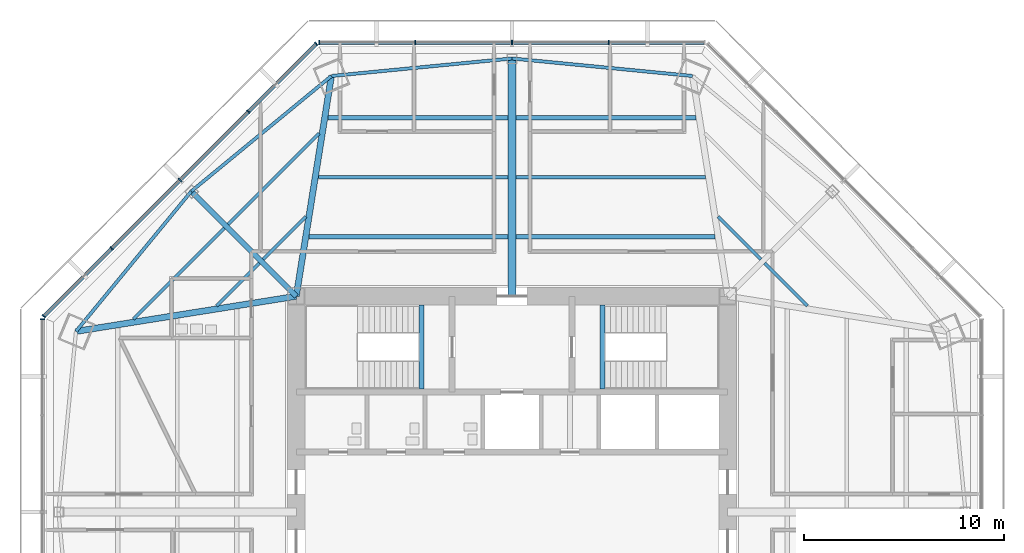
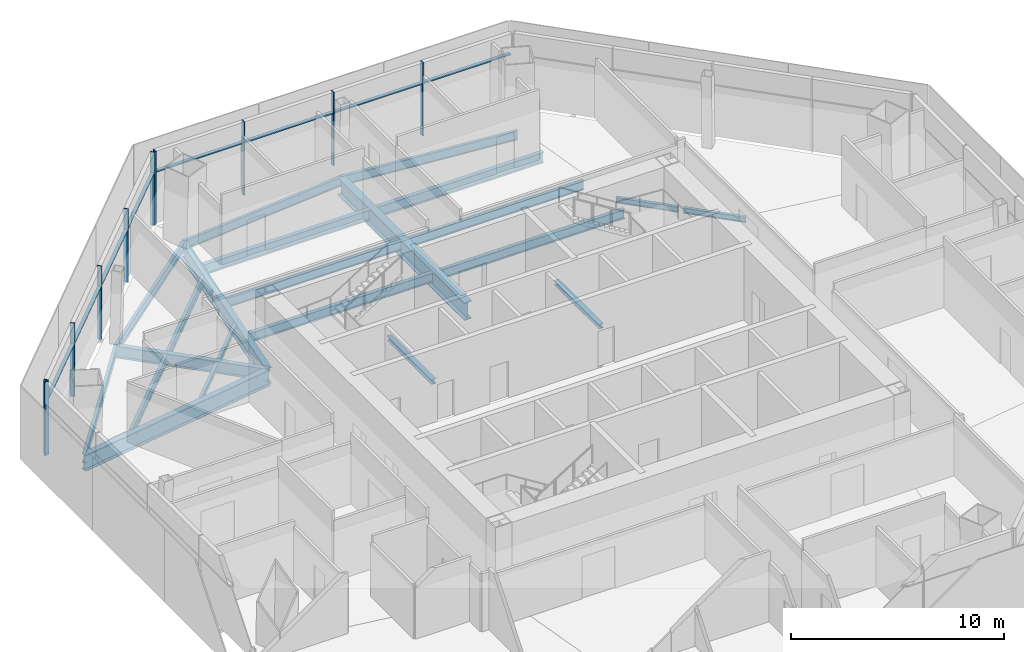
# One storey, part 5 of 15: 22 beams, 18 members, 3 elements without a shape of their own.
"""IFC4 building model written with IfcOpenShell, lengths in metres."""

from ifc_helpers import new_model, si_unit, direction, frame, origin, origin_2d, place, context, subcontext, project, spatial, rectangle, i_section, extrude, source, transform, mapped, material, material_profile, profile_set, type_object, type_shapes, element, aggregate, save


model = new_model("IFC4")

# Units and contexts
model_context = context("Model", 3, precision=1e-05, world=origin(), true_north=direction((0.0, 1.0)))
body_context = subcontext(model_context, "Body", "Model", "MODEL_VIEW")
ifc_project = project(units=[si_unit("LENGTHUNIT", "METRE"), si_unit("AREAUNIT", "SQUARE_METRE"), si_unit("VOLUMEUNIT", "CUBIC_METRE"), si_unit("PLANEANGLEUNIT", "RADIAN"), si_unit("MASSUNIT", "GRAM", prefix="KILO")], contexts=[model_context])

# Site, building, storey
site_placement = place(None, origin())
site = spatial("IfcSite", under=ifc_project, at=site_placement, CompositionType="ELEMENT")
building_placement = place(site_placement, origin())
building = spatial("IfcBuilding", under=site, at=building_placement, Name="Mashrafa Tower", CompositionType="ELEMENT")
storey_placement = place(building_placement, frame((0.0, 0.0, 159.60009765625)))
storey = spatial("IfcBuildingStorey", under=building, at=storey_placement, Name="L36", CompositionType="ELEMENT", Elevation=159.60009765625)

# Beams
ifc_material_1 = material(Name="Steel ASTM A992", Category="steel")
ifc_material_profile_1 = material_profile(ifc_material_1, i_section(OverallWidth=0.164794921875, OverallDepth=0.309814453125, WebThickness=0.005859375, FlangeThickness=0.009765625, FilletRadius=0.007568359375, at=origin_2d()), Name="W12X26")
ifc_profile_set_1 = profile_set([ifc_material_profile_1], Name="Steel ASTM A992")
beam_type_1 = type_object("IfcBeamType", Name="Beam W12X26", PredefinedType="BEAM", material=ifc_profile_set_1)
for number, where, z_axis, x_axis, name in (
    (1, (-14.78271484375, 10.3203125, -0.320068359375), (0.707147105488, 0.707066454586, 0.0), (-0.707066454586, 0.707147105488, 0.0), "Floor beam L36 006"),
    (2, (-12.460693359375, 12.64208984375, -0.320068359375), (0.707066454586, 0.707147105488, 0.0), (-0.707147105488, 0.707066454586, 0.0), "Floor beam L36 012"),
    (3, (10.3203125, 14.78271484375, -0.320068359375), (0.707066454586, -0.707147105488, 0.0), (0.707147105488, 0.707066454586, 0.0), "Floor beam L36 027"),
    (4, (12.64208984375, 12.460693359375, -0.320068359375), (0.707147105488, -0.707066454586, 0.0), (0.707066454586, 0.707147105488, 0.0), "Floor beam L36 030"),
):
    element("IfcBeam", number, at=place(storey_placement, frame(where, z_axis=z_axis, x_axis=x_axis)), inside=storey, type_object=beam_type_1, Name=name, PredefinedType="BEAM", context=body_context, shape_type="SweptSolid", body=[
        extrude(i_section(OverallWidth=0.164794921875, OverallDepth=0.309814453125, WebThickness=0.005859375, FlangeThickness=0.009765625, FilletRadius=0.007568359375, at=origin_2d()), origin(), (0.0, 0.0, 1.0), 3.027099609375),
    ])
ifc_material_2 = material(Name="Steel ASTM A992", Category="steel")
ifc_material_profile_2 = material_profile(ifc_material_2, i_section(OverallWidth=0.1650390625, OverallDepth=0.52587890625, WebThickness=0.0087890625, FlangeThickness=0.011474609375, FilletRadius=0.0126953125, at=origin_2d()), Name="W21X44")
ifc_profile_set_2 = profile_set([ifc_material_profile_2], Name="Steel ASTM A992")
beam_type_2 = type_object("IfcBeamType", Name="Beam W21X44", PredefinedType="BEAM", material=ifc_profile_set_2)
for number, where, z_axis, x_axis, name in (
    (5, (-18.95068359375, 9.6552734375, -0.427978515625), (0.707087839389, 0.707125722477, 0.0), (-0.707125722477, 0.707087839389, 0.0), "Floor beam L36 003"),
    (6, (-14.21240234375, 14.393798828125, -0.427978515625), (0.707125722477, 0.707087839389, 0.0), (-0.707087839389, 0.707125722477, 0.0), "Floor beam L36 008"),
):
    element("IfcBeam", number, at=place(storey_placement, frame(where, z_axis=z_axis, x_axis=x_axis)), inside=storey, type_object=beam_type_2, Name=name, PredefinedType="BEAM", context=body_context, shape_type="SweptSolid", body=[
        extrude(i_section(OverallWidth=0.1650390625, OverallDepth=0.52587890625, WebThickness=0.0087890625, FlangeThickness=0.011474609375, FilletRadius=0.0126953125, at=origin_2d()), origin(), (0.0, 0.0, 1.0), 6.444580078125),
    ])
for number, where, z_axis, x_axis, name in (
    (7, (-16.054443359375, 16.054443359375, -0.427978515625), (-0.635445309972, -0.772145878727, 0.0), (0.772145878727, -0.635445309972, 0.0), "Spandrel beam L36 061"),
    (8, (-9.040771484375, 21.826416015625, -0.427978515625), (-0.772145878727, -0.635445309972, 0.0), (0.635445309972, -0.772145878727, 0.0), "Spandrel beam L36 063"),
    (9, (0.0, 22.70458984375, -0.427978515625), (-0.995315535231, -0.096679808275, 0.0), (0.096679808275, -0.995315535231, 0.0), "Spandrel beam L36 065"),
    (10, (9.040771484375, 21.826416015625, -0.427978515625), (-0.995315535231, 0.096679808275, 0.0), (-0.096679808275, -0.995315535231, 0.0), "Spandrel beam L36 067"),
):
    element("IfcBeam", number, at=place(storey_placement, frame(where, z_axis=z_axis, x_axis=x_axis)), inside=storey, type_object=beam_type_2, Name=name, PredefinedType="BEAM", context=body_context, shape_type="SweptSolid", body=[
        extrude(i_section(OverallWidth=0.1650390625, OverallDepth=0.52587890625, WebThickness=0.0087890625, FlangeThickness=0.011474609375, FilletRadius=0.0126953125, at=origin_2d()), origin(), (0.0, 0.0, 1.0), 9.083251953125),
    ])
ifc_material_3 = material(Name="Steel ASTM A992", Category="steel")
ifc_material_profile_3 = material_profile(ifc_material_3, i_section(OverallWidth=0.165771484375, OverallDepth=0.5283203125, WebThickness=0.009765625, FlangeThickness=0.013671875, FilletRadius=0.012939453125, at=origin_2d()), Name="W21X50")
ifc_profile_set_3 = profile_set([ifc_material_profile_3], Name="Steel ASTM A992")
beam_type_3 = type_object("IfcBeamType", Name="Beam W21X50", PredefinedType="BEAM", material=ifc_profile_set_3)
for number, where, z_axis, x_axis, name in (
    (11, (-9.694580078125, 16.752197265625, -0.42919921875), (1.0, 0.0, 0.0), (0.0, 1.0, 0.0), "Floor beam L36 015"),
    (12, (0.20068359375, 16.752197265625, -0.42919921875), (1.0, 0.0, 0.0), (0.0, 1.0, 0.0), "Floor beam L36 022"),
):
    element("IfcBeam", number, at=place(storey_placement, frame(where, z_axis=z_axis, x_axis=x_axis)), inside=storey, type_object=beam_type_3, Name=name, PredefinedType="BEAM", context=body_context, shape_type="SweptSolid", body=[
        extrude(i_section(OverallWidth=0.165771484375, OverallDepth=0.5283203125, WebThickness=0.009765625, FlangeThickness=0.013671875, FilletRadius=0.012939453125, at=origin_2d()), origin(), (0.0, 0.0, 1.0), 9.493896484375),
    ])
ifc_material_4 = material(Name="Steel ASTM A992", Category="steel")
ifc_material_profile_4 = material_profile(ifc_material_4, i_section(OverallWidth=0.209228515625, OverallDepth=0.533447265625, WebThickness=0.01025390625, FlangeThickness=0.015625, FilletRadius=0.012939453125, at=origin_2d()), Name="W21X62")
ifc_profile_set_4 = profile_set([ifc_material_profile_4], Name="Steel ASTM A992")
beam_type_4 = type_object("IfcBeamType", Name="Beam W21X62", PredefinedType="BEAM", material=ifc_profile_set_4)
for number, where, z_axis, x_axis, name in (
    (13, (-10.169677734375, 13.776123046875, -0.431884765625), (1.0, 0.0, 0.0), (0.0, 1.0, 0.0), "Floor beam L36 013"),
    (14, (0.20068359375, 13.776123046875, -0.431884765625), (1.0, 0.0, 0.0), (0.0, 1.0, 0.0), "Floor beam L36 021"),
):
    element("IfcBeam", number, at=place(storey_placement, frame(where, z_axis=z_axis, x_axis=x_axis)), inside=storey, type_object=beam_type_4, Name=name, PredefinedType="BEAM", context=body_context, shape_type="SweptSolid", body=[
        extrude(i_section(OverallWidth=0.209228515625, OverallDepth=0.533447265625, WebThickness=0.01025390625, FlangeThickness=0.015625, FilletRadius=0.012939453125, at=origin_2d()), origin(), (0.0, 0.0, 1.0), 9.968994140625),
    ])
ifc_material_5 = material(Name="Steel ASTM A992", Category="steel")
ifc_material_profile_5 = material_profile(ifc_material_5, i_section(OverallWidth=0.227783203125, OverallDepth=0.60205078125, WebThickness=0.010498046875, FlangeThickness=0.014892578125, FilletRadius=0.012939453125, at=origin_2d()), Name="W24X68")
ifc_profile_set_5 = profile_set([ifc_material_profile_5], Name="Steel ASTM A992")
beam_type_5 = type_object("IfcBeamType", Name="Beam W24X68", PredefinedType="BEAM", material=ifc_profile_set_5)
for number, where, z_axis, x_axis, name in (
    (15, (-9.219970703125, 19.728515625, -0.466064453125), (1.0, 0.0, 0.0), (0.0, 1.0, 0.0), "Floor beam L36 017"),
    (16, (0.20068359375, 19.728515625, -0.466064453125), (1.0, 0.0, 0.0), (0.0, 1.0, 0.0), "Floor beam L36 023"),
):
    element("IfcBeam", number, at=place(storey_placement, frame(where, z_axis=z_axis, x_axis=x_axis)), inside=storey, type_object=beam_type_5, Name=name, PredefinedType="BEAM", context=body_context, shape_type="SweptSolid", body=[
        extrude(i_section(OverallWidth=0.227783203125, OverallDepth=0.60205078125, WebThickness=0.010498046875, FlangeThickness=0.014892578125, FilletRadius=0.012939453125, at=origin_2d()), origin(), (0.0, 0.0, 1.0), 9.019287109375),
    ])
ifc_material_6 = material(Name="Steel ASTM A992", Category="steel")
ifc_material_profile_6 = material_profile(ifc_material_6, i_section(OverallWidth=0.256591796875, OverallDepth=0.693359375, WebThickness=0.014404296875, FlangeThickness=0.023681640625, FilletRadius=0.01513671875, at=origin_2d()), Name="W27X114")
ifc_profile_set_6 = profile_set([ifc_material_profile_6], Name="Steel ASTM A992")
beam_type_6 = type_object("IfcBeamType", Name="Beam W27X114", PredefinedType="BEAM", material=ifc_profile_set_6)
beam_1_placement = place(storey_placement, frame((-10.800048828125, 10.800048828125, -0.51171875), z_axis=(-0.707106781187, 0.707106781187, 0.0), x_axis=(-0.707106781187, -0.707106781187, 0.0)))
element("IfcBeam", 17, at=beam_1_placement, inside=storey, type_object=beam_type_6, Name="Radial girder L36 046", PredefinedType="BEAM", context=body_context, shape_type="SweptSolid", body=[
    extrude(i_section(OverallWidth=0.256591796875, OverallDepth=0.693359375, WebThickness=0.014404296875, FlangeThickness=0.023681640625, FilletRadius=0.01513671875, at=origin_2d()), origin(), (0.0, 0.0, 1.0), 7.430908203125),
])
ifc_material_7 = material(Name="Steel ASTM A992", Category="steel")
ifc_material_profile_7 = material_profile(ifc_material_7, i_section(OverallWidth=0.307373046875, OverallDepth=0.927001953125, WebThickness=0.01953125, FlangeThickness=0.031982421875, FilletRadius=0.01904296875, at=origin_2d()), Name="W36X194")
ifc_profile_set_7 = profile_set([ifc_material_profile_7], Name="Steel ASTM A992")
beam_type_7 = type_object("IfcBeamType", Name="Beam W36X194", PredefinedType="BEAM", material=ifc_profile_set_7)
for number, where, z_axis, x_axis, name in (
    (18, (-10.800048828125, 10.800048828125, -0.628662109375), (-0.987509577734, -0.157558985412, 0.0), (0.157558985412, -0.987509577734, 0.0), "Radial girder L36 045"),
    (19, (-10.800048828125, 10.800048828125, -0.628662109375), (0.157558985412, 0.987509577734, 0.0), (-0.987509577734, 0.157558985412, 0.0), "Radial girder L36 047"),
):
    element("IfcBeam", number, at=place(storey_placement, frame(where, z_axis=z_axis, x_axis=x_axis)), inside=storey, type_object=beam_type_7, Name=name, PredefinedType="BEAM", context=body_context, shape_type="SweptSolid", body=[
        extrude(i_section(OverallWidth=0.307373046875, OverallDepth=0.927001953125, WebThickness=0.01953125, FlangeThickness=0.031982421875, FilletRadius=0.01904296875, at=origin_2d()), origin(), (0.0, 0.0, 1.0), 11.165771484375),
    ])
ifc_material_8 = material(Name="Steel ASTM A992", Category="steel")
ifc_material_profile_8 = material_profile(ifc_material_8, i_section(OverallWidth=0.4013671875, OverallDepth=1.010986328125, WebThickness=0.023681640625, FlangeThickness=0.0419921875, FilletRadius=0.02001953125, at=origin_2d()), Name="W40X297")
ifc_profile_set_8 = profile_set([ifc_material_profile_8], Name="Steel ASTM A992")
beam_type_8 = type_object("IfcBeamType", Name="Beam W40X297", PredefinedType="BEAM", material=ifc_profile_set_8)
beam_2_placement = place(storey_placement, frame((0.0, 10.800048828125, -0.670654296875), z_axis=(0.0, 1.0, 0.0), x_axis=(-1.0, 0.0, 0.0)))
element("IfcBeam", 20, at=beam_2_placement, inside=storey, type_object=beam_type_8, Name="Radial girder L36 049", PredefinedType="BEAM", context=body_context, shape_type="SweptSolid", body=[
    extrude(i_section(OverallWidth=0.4013671875, OverallDepth=1.010986328125, WebThickness=0.023681640625, FlangeThickness=0.0419921875, FilletRadius=0.02001953125, at=origin_2d()), origin(), (0.0, 0.0, 1.0), 11.904541015625),
])
ifc_material_9 = material(Name="Steel ASTM A992", Category="steel")
ifc_material_profile_9 = material_profile(ifc_material_9, i_section(OverallWidth=0.25390625, OverallDepth=0.25390625, WebThickness=0.008544921875, FlangeThickness=0.01416015625, FilletRadius=0.010009765625, at=origin_2d()), Name="W10X49")
ifc_profile_set_9 = profile_set([ifc_material_profile_9], Name="Steel ASTM A992")
beam_type_9 = type_object("IfcBeamType", Name="Hoistway beam W10X49", PredefinedType="BEAM", material=ifc_profile_set_9)
for number, where, z_axis, x_axis, name in (
    (21, (-4.530029296875, 6.14990234375, -0.3271484375), (0.0, 1.0, 0.0), (-1.0, 0.0, 0.0), "Stair S1 landing beam L36"),
    (22, (4.530029296875, 6.14990234375, -0.3271484375), (0.0, 1.0, 0.0), (-1.0, 0.0, 0.0), "Stair S2 landing beam L36"),
):
    element("IfcBeam", number, at=place(storey_placement, frame(where, z_axis=z_axis, x_axis=x_axis)), inside=storey, type_object=beam_type_9, Name=name, PredefinedType="BEAM", context=body_context, shape_type="SweptSolid", body=[
        extrude(i_section(OverallWidth=0.25390625, OverallDepth=0.25390625, WebThickness=0.008544921875, FlangeThickness=0.01416015625, FilletRadius=0.010009765625, at=origin_2d()), origin(), (0.0, 0.0, 1.0), 4.2001953125),
    ])

# Curtain wall, members
ifc_material_10 = material(Name="Unitised aluminium curtain wall", Category="aluminium")
curtain_wall_type = type_object("IfcCurtainWallType", Name="Office curtain wall, zone 2 CW-B 225 deep", PredefinedType="NOTDEFINED", material=ifc_material_10)
curtain_wall_1_placement = place(storey_placement, origin())
curtain_wall_1 = element("IfcCurtainWall", 23, at=curtain_wall_1_placement, inside=storey, type_object=curtain_wall_type, Name="Office curtain wall, zone 2 L36 north", PredefinedType="NOTDEFINED")
ifc_material_11 = material(Name="Extruded aluminium mullion", Category="aluminium")
ifc_material_profile_10 = material_profile(ifc_material_11, rectangle(XDim=0.22509765625, YDim=0.06494140625, at=origin_2d()), Name="Mullion 65x225")
ifc_profile_set_10 = profile_set([ifc_material_profile_10], Name="Extruded aluminium mullion")
member_type_1 = type_object("IfcMemberType", Name="Mullion CW-B 65 x 225", PredefinedType="MULLION", material=ifc_profile_set_10)
shared_shape_1 = source(origin(), body_context, "Body", "SweptSolid", [
    extrude(rectangle(XDim=0.22509765625, YDim=0.06494140625, at=origin_2d()), origin(), (0.0, 0.0, 1.0), 4.199951171875),
])
type_shapes(member_type_1, [shared_shape_1])
member_1_placement = place(storey_placement, frame((4.838623046875, 23.499755859375, 0.0), z_axis=(0.0, 0.0, 1.0), x_axis=(0.0, -1.0, 0.0)))
member_1 = element("IfcMember", 24, at=member_1_placement, type_object=member_type_1, Name="CW-B mullion 2", PredefinedType="MULLION", context=body_context, shape_type="MappedRepresentation", body=[
    mapped(shared_shape_1, transform((0.0, 0.0, 0.0))),
])
member_2_placement = place(storey_placement, frame((0.0, 23.499755859375, 0.0), z_axis=(0.0, 0.0, 1.0), x_axis=(0.0, -1.0, 0.0)))
member_2 = element("IfcMember", 25, at=member_2_placement, type_object=member_type_1, Name="CW-B mullion 3", PredefinedType="MULLION", context=body_context, shape_type="MappedRepresentation", body=[
    mapped(shared_shape_1, transform((0.0, 0.0, 0.0))),
])
member_3_placement = place(storey_placement, frame((-4.838623046875, 23.499755859375, 0.0), z_axis=(0.0, 0.0, 1.0), x_axis=(0.0, -1.0, 0.0)))
member_3 = element("IfcMember", 26, at=member_3_placement, type_object=member_type_1, Name="CW-B mullion 4", PredefinedType="MULLION", context=body_context, shape_type="MappedRepresentation", body=[
    mapped(shared_shape_1, transform((0.0, 0.0, 0.0))),
])
member_4_placement = place(storey_placement, frame((-9.644775390625, 23.499755859375, 0.0), z_axis=(0.0, 0.0, 1.0), x_axis=(0.0, -1.0, 0.0)))
member_4 = element("IfcMember", 27, at=member_4_placement, type_object=member_type_1, Name="CW-B mullion 5", PredefinedType="MULLION", context=body_context, shape_type="MappedRepresentation", body=[
    mapped(shared_shape_1, transform((0.0, 0.0, 0.0))),
])

curtain_wall_2_placement = place(storey_placement, origin())
curtain_wall_2 = element("IfcCurtainWall", 28, at=curtain_wall_2_placement, inside=storey, type_object=curtain_wall_type, Name="Office curtain wall, zone 2 L36 north-west", PredefinedType="NOTDEFINED")
member_5_placement = place(storey_placement, frame((-9.796875, 23.436767578125, 0.0), z_axis=(0.0, 0.0, 1.0), x_axis=(0.707106781187, -0.707106781187, 0.0)))
member_5 = element("IfcMember", 29, at=member_5_placement, type_object=member_type_1, Name="CW-B mullion 1", PredefinedType="MULLION", context=body_context, shape_type="MappedRepresentation", body=[
    mapped(shared_shape_1, transform((0.0, 0.0, 0.0))),
])
member_6_placement = place(storey_placement, frame((-13.195556640625, 20.038330078125, 0.0), z_axis=(0.0, 0.0, 1.0), x_axis=(0.707106781187, -0.707106781187, 0.0)))
member_6 = element("IfcMember", 30, at=member_6_placement, type_object=member_type_1, Name="CW-B mullion 2", PredefinedType="MULLION", context=body_context, shape_type="MappedRepresentation", body=[
    mapped(shared_shape_1, transform((0.0, 0.0, 0.0))),
])
member_7_placement = place(storey_placement, frame((-16.616943359375, 16.616943359375, 0.0), z_axis=(0.0, 0.0, 1.0), x_axis=(0.707106781187, -0.707106781187, 0.0)))
member_7 = element("IfcMember", 31, at=member_7_placement, type_object=member_type_1, Name="CW-B mullion 3", PredefinedType="MULLION", context=body_context, shape_type="MappedRepresentation", body=[
    mapped(shared_shape_1, transform((0.0, 0.0, 0.0))),
])
member_8_placement = place(storey_placement, frame((-20.038330078125, 13.195556640625, 0.0), z_axis=(0.0, 0.0, 1.0), x_axis=(0.707106781187, -0.707106781187, 0.0)))
member_8 = element("IfcMember", 32, at=member_8_placement, type_object=member_type_1, Name="CW-B mullion 4", PredefinedType="MULLION", context=body_context, shape_type="MappedRepresentation", body=[
    mapped(shared_shape_1, transform((0.0, 0.0, 0.0))),
])
member_9_placement = place(storey_placement, frame((-23.436767578125, 9.796875, 0.0), z_axis=(0.0, 0.0, 1.0), x_axis=(0.707106781187, -0.707106781187, 0.0)))
member_9 = element("IfcMember", 33, at=member_9_placement, type_object=member_type_1, Name="CW-B mullion 5", PredefinedType="MULLION", context=body_context, shape_type="MappedRepresentation", body=[
    mapped(shared_shape_1, transform((0.0, 0.0, 0.0))),
])

# Curtain wall, member
curtain_wall_3_placement = place(storey_placement, origin())
curtain_wall_3 = element("IfcCurtainWall", 34, at=curtain_wall_3_placement, inside=storey, type_object=curtain_wall_type, Name="Office curtain wall, zone 2 L36 west", PredefinedType="NOTDEFINED")
member_10_placement = place(storey_placement, frame((-23.499755859375, 9.644775390625, 0.0), z_axis=(0.0, 0.0, 1.0), x_axis=(1.0, 0.0, 0.0)))
member_10 = element("IfcMember", 35, at=member_10_placement, type_object=member_type_1, Name="CW-B mullion 1", PredefinedType="MULLION", context=body_context, shape_type="MappedRepresentation", body=[
    mapped(shared_shape_1, transform((0.0, 0.0, 0.0))),
])
aggregate(curtain_wall_3, [member_10])

# Member
ifc_material_12 = material(Name="Extruded aluminium transom", Category="aluminium")
ifc_material_profile_11 = material_profile(ifc_material_12, rectangle(XDim=0.179931640625, YDim=0.080078125, at=origin_2d()), Name="Transom 80x180")
ifc_profile_set_11 = profile_set([ifc_material_profile_11], Name="Extruded aluminium transom")
member_type_2 = type_object("IfcMemberType", Name="Transom CW-B 80 x 180", PredefinedType="MULLION", material=ifc_profile_set_11)
shared_shape_2 = source(origin(), body_context, "Body", "SweptSolid", [
    extrude(rectangle(XDim=0.179931640625, YDim=0.080078125, at=origin_2d()), origin(), (0.0, 0.0, 1.0), 4.7412109375),
])
member_11_placement = place(storey_placement, frame((9.6123046875, 23.499755859375, 3.0), z_axis=(-1.0, 0.0, 0.0), x_axis=(0.0, -1.0, 0.0)))
member_11 = element("IfcMember", 36, at=member_11_placement, type_object=member_type_2, Name="CW-B transom 1", PredefinedType="MULLION", context=body_context, shape_type="MappedRepresentation", body=[
    mapped(shared_shape_2, transform((0.0, 0.0, 0.0))),
])

member_12_placement = place(storey_placement, frame((-4.87109375, 23.499755859375, 3.0), z_axis=(-1.0, 0.0, 0.0), x_axis=(0.0, -1.0, 0.0)))
member_12 = element("IfcMember", 37, at=member_12_placement, type_object=member_type_2, Name="CW-B transom 4", PredefinedType="MULLION", context=body_context, shape_type="MappedRepresentation", body=[
    mapped(shared_shape_2, transform((0.0, 0.0, 0.0))),
])

member_13_placement = place(storey_placement, frame((-9.81982421875, 23.413818359375, 3.0), z_axis=(-0.707106781187, -0.707106781187, 0.0), x_axis=(0.707106781187, -0.707106781187, 0.0)))
member_13 = element("IfcMember", 38, at=member_13_placement, type_object=member_type_2, Name="CW-B transom 1", PredefinedType="MULLION", context=body_context, shape_type="MappedRepresentation", body=[
    mapped(shared_shape_2, transform((0.0, 0.0, 0.0))),
])

member_14_placement = place(storey_placement, frame((-20.061279296875, 13.17236328125, 3.0), z_axis=(-0.707106781187, -0.707106781187, 0.0), x_axis=(0.707106781187, -0.707106781187, 0.0)))
member_14 = element("IfcMember", 39, at=member_14_placement, type_object=member_type_2, Name="CW-B transom 4", PredefinedType="MULLION", context=body_context, shape_type="MappedRepresentation", body=[
    mapped(shared_shape_2, transform((0.0, 0.0, 0.0))),
])

shared_shape_3 = source(origin(), body_context, "Body", "SweptSolid", [
    extrude(rectangle(XDim=0.179931640625, YDim=0.080078125, at=origin_2d()), origin(), (0.0, 0.0, 1.0), 4.773681640625),
])
type_shapes(member_type_2, [shared_shape_2, shared_shape_3])
member_15_placement = place(storey_placement, frame((4.80615234375, 23.499755859375, 3.0), z_axis=(-1.0, 0.0, 0.0), x_axis=(0.0, -1.0, 0.0)))
member_15 = element("IfcMember", 40, at=member_15_placement, type_object=member_type_2, Name="CW-B transom 2", PredefinedType="MULLION", context=body_context, shape_type="MappedRepresentation", body=[
    mapped(shared_shape_3, transform((0.0, 0.0, 0.0))),
])

member_16_placement = place(storey_placement, frame((-0.032470703125, 23.499755859375, 3.0), z_axis=(-1.0, 0.0, 0.0), x_axis=(0.0, -1.0, 0.0)))
member_16 = element("IfcMember", 41, at=member_16_placement, type_object=member_type_2, Name="CW-B transom 3", PredefinedType="MULLION", context=body_context, shape_type="MappedRepresentation", body=[
    mapped(shared_shape_3, transform((0.0, 0.0, 0.0))),
])

aggregate(curtain_wall_1, [member_1, member_2, member_3, member_4, member_11, member_15, member_16, member_12])

member_17_placement = place(storey_placement, frame((-13.218505859375, 20.015380859375, 3.0), z_axis=(-0.707106781187, -0.707106781187, 0.0), x_axis=(0.707106781187, -0.707106781187, 0.0)))
member_17 = element("IfcMember", 42, at=member_17_placement, type_object=member_type_2, Name="CW-B transom 2", PredefinedType="MULLION", context=body_context, shape_type="MappedRepresentation", body=[
    mapped(shared_shape_3, transform((0.0, 0.0, 0.0))),
])

member_18_placement = place(storey_placement, frame((-16.639892578125, 16.593994140625, 3.0), z_axis=(-0.707106781187, -0.707106781187, 0.0), x_axis=(0.707106781187, -0.707106781187, 0.0)))
member_18 = element("IfcMember", 43, at=member_18_placement, type_object=member_type_2, Name="CW-B transom 3", PredefinedType="MULLION", context=body_context, shape_type="MappedRepresentation", body=[
    mapped(shared_shape_3, transform((0.0, 0.0, 0.0))),
])

aggregate(curtain_wall_2, [member_5, member_6, member_7, member_8, member_9, member_13, member_17, member_18, member_14])

save(model, "model.ifc")
